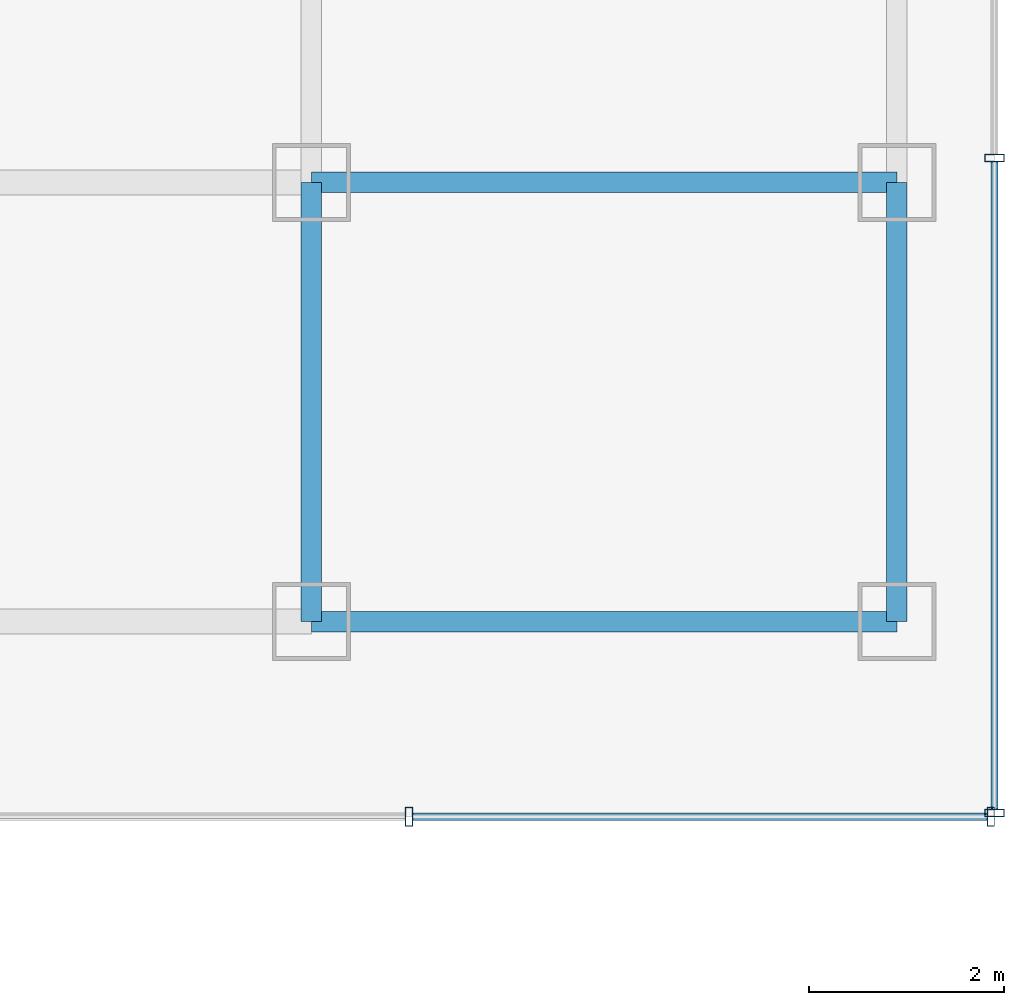
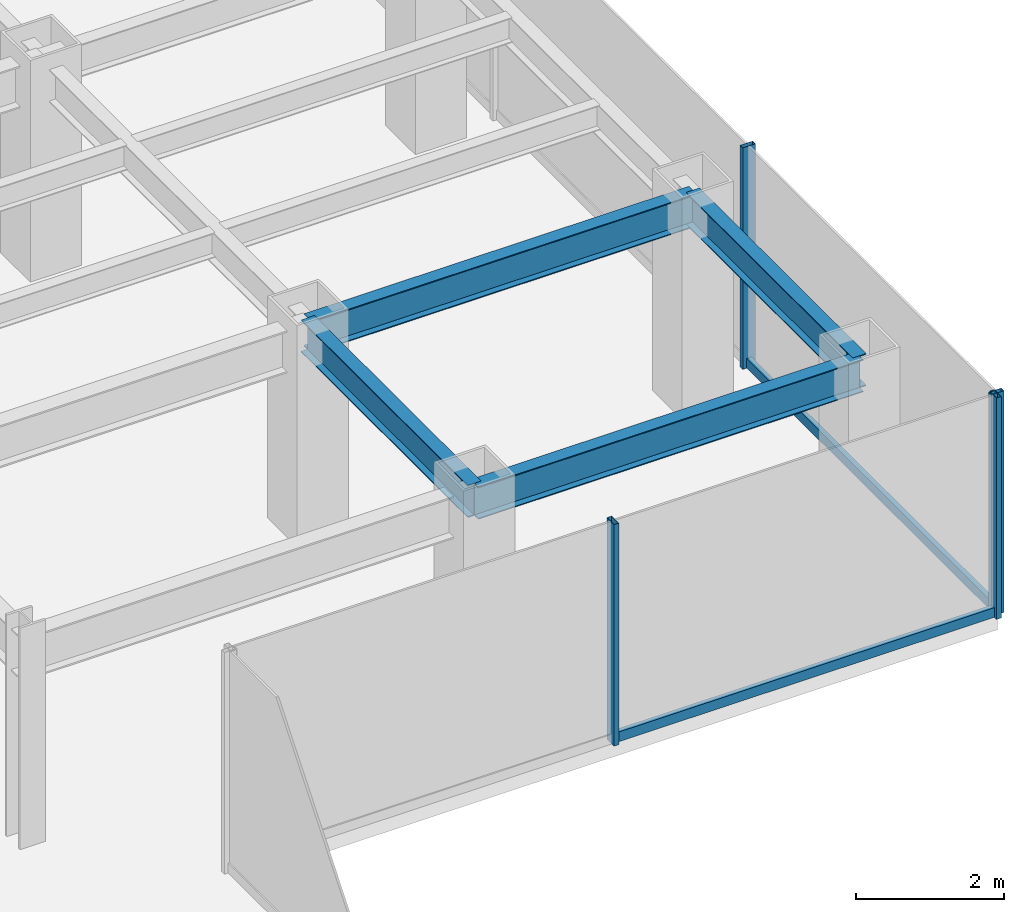
# One storey, part 10 of 26: 6 members, 4 beams, 2 elements without a shape of their own.
"""IFC4 building model written with IfcOpenShell, lengths in metres."""

from ifc_helpers import new_model, si_unit, derived_unit, direction, frame, origin, origin_2d, place, context, subcontext, project, spatial, hollow_rectangle, i_section, extrude, source, transform, mapped, material, material_profile, profile_set, type_object, element, aggregate, save


model = new_model("IFC4")

# Units and contexts
model_context = context("Model", 3, precision=1e-05, world=origin(), true_north=direction((0.0, 1.0)))
body_context = subcontext(model_context, "Body", "Model", "MODEL_VIEW")
ifc_project = project(units=[si_unit("LENGTHUNIT", "METRE"), si_unit("AREAUNIT", "SQUARE_METRE"), si_unit("VOLUMEUNIT", "CUBIC_METRE"), si_unit("PLANEANGLEUNIT", "RADIAN"), si_unit("MASSUNIT", "GRAM", prefix="KILO"), derived_unit("THERMALTRANSMITTANCEUNIT", [(si_unit("POWERUNIT", "WATT"), 1), (si_unit("LENGTHUNIT", "METRE"), -2), (si_unit("THERMODYNAMICTEMPERATUREUNIT", "KELVIN"), -1)])], contexts=[model_context])

# Site, building, storey
site_placement = place(None, origin())
site = spatial("IfcSite", under=ifc_project, at=site_placement, CompositionType="ELEMENT")
building_placement = place(site_placement, origin())
building = spatial("IfcBuilding", under=site, at=building_placement, Name="Skarnbrae Concourse Arena and Tower", CompositionType="ELEMENT")
storey_placement = place(building_placement, frame((0.0, 0.0, 125.14990234375)))
storey = spatial("IfcBuildingStorey", under=building, at=storey_placement, Name="L31", CompositionType="ELEMENT", Elevation=125.14990234375)

# Beams
ifc_material_1 = material(Name="Steel CSA G40.21 350W", Category="steel")
ifc_material_profile_1 = material_profile(ifc_material_1, i_section(OverallWidth=0.208984375, OverallDepth=0.532958984375, WebThickness=0.01025390625, FlangeThickness=0.015625, at=origin_2d()), Name="W530X92")
ifc_profile_set_1 = profile_set([ifc_material_profile_1], Name="Steel CSA G40.21 350W")
beam_type = type_object("IfcBeamType", Name="BM-SPAN-W530X92", PredefinedType="SPANDREL", material=ifc_profile_set_1)
shared_shape_1 = source(origin(), body_context, "Body", "SweptSolid", [
    extrude(i_section(OverallWidth=0.208984375, OverallDepth=0.532958984375, WebThickness=0.01025390625, FlangeThickness=0.015625, at=origin_2d()), origin(), (0.0, 0.0, 1.0), 6.0),
])
for number, where, z_axis, x_axis, name in (
    (1, (49.0, 9.5, 3.133544921875), (1.0, 0.0, 0.0), (0.0, 1.0, 0.0), "L31 Perimeter spandrel Y9.5-3"),
    (2, (49.0, 14.0, 3.133544921875), (1.0, 0.0, 0.0), (0.0, 1.0, 0.0), "L31 Perimeter spandrel Y14.0-8"),
):
    element("IfcBeam", number, at=place(storey_placement, frame(where, z_axis=z_axis, x_axis=x_axis)), inside=storey, type_object=beam_type, Name=name, PredefinedType="SPANDREL", context=body_context, shape_type="MappedRepresentation", body=[
        mapped(shared_shape_1, transform((0.0, 0.0, 0.0))),
    ])
shared_shape_2 = source(origin(), body_context, "Body", "SweptSolid", [
    extrude(i_section(OverallWidth=0.208984375, OverallDepth=0.532958984375, WebThickness=0.01025390625, FlangeThickness=0.015625, at=origin_2d()), origin(), (0.0, 0.0, 1.0), 4.5),
])
for number, where, z_axis, x_axis, name in (
    (3, (49.0, 9.5, 3.133544921875), (0.0, 1.0, 0.0), (-1.0, 0.0, 0.0), "L31 Perimeter spandrel X49.0-1"),
    (4, (55.0, 9.5, 3.133544921875), (0.0, 1.0, 0.0), (-1.0, 0.0, 0.0), "L31 Perimeter spandrel X55.0-1"),
):
    element("IfcBeam", number, at=place(storey_placement, frame(where, z_axis=z_axis, x_axis=x_axis)), inside=storey, type_object=beam_type, Name=name, PredefinedType="SPANDREL", context=body_context, shape_type="MappedRepresentation", body=[
        mapped(shared_shape_2, transform((0.0, 0.0, 0.0))),
    ])

# Curtain wall, members
ifc_material_2 = material(Name="Bronze anodised aluminium 6063-T6", Category="aluminium")
curtain_wall_type = type_object("IfcCurtainWallType", Name="CW-SYS-04-MIDZONE", PredefinedType="USERDEFINED", material=ifc_material_2)
curtain_wall_1_placement = place(storey_placement, origin())
curtain_wall_1 = element("IfcCurtainWall", 5, at=curtain_wall_1_placement, inside=storey, type_object=curtain_wall_type, Name="L31 Unitised curtain wall CW-L31-E03", ObjectType="UNITISED CURTAIN WALL", PredefinedType="USERDEFINED")
ifc_material_profile_2 = material_profile(ifc_material_2, hollow_rectangle(XDim=0.074951171875, YDim=0.195068359375, WallThickness=0.00439453125, at=origin_2d()), Name="ALU-MULL-75X195")
ifc_profile_set_2 = profile_set([ifc_material_profile_2], Name="Bronze anodised aluminium 6063-T6")
member_type_1 = type_object("IfcMemberType", Name="CWM-CW-04", PredefinedType="MULLION", material=ifc_profile_set_2)
shared_shape_3 = source(origin(), body_context, "Body", "SweptSolid", [
    extrude(hollow_rectangle(XDim=0.074951171875, YDim=0.195068359375, WallThickness=0.00439453125, at=origin_2d()), origin(), (0.0, 0.0, 1.0), 3.650146484375),
])
member_1_placement = place(storey_placement, frame((50.0, 7.5, 0.0), z_axis=(0.0, 0.0, 1.0), x_axis=(1.0, 0.0, 0.0)))
member_1 = element("IfcMember", 6, at=member_1_placement, type_object=member_type_1, Name="CW-L31-E03 Mullion 2", PredefinedType="MULLION", context=body_context, shape_type="MappedRepresentation", body=[
    mapped(shared_shape_3, transform((0.0, 0.0, 0.0))),
])
member_2_placement = place(storey_placement, frame((55.96240234375, 7.5, 0.0), z_axis=(0.0, 0.0, 1.0), x_axis=(1.0, 0.0, 0.0)))
member_2 = element("IfcMember", 7, at=member_2_placement, type_object=member_type_1, Name="CW-L31-E03 Mullion 3", PredefinedType="MULLION", context=body_context, shape_type="MappedRepresentation", body=[
    mapped(shared_shape_3, transform((0.0, 0.0, 0.0))),
])

curtain_wall_2_placement = place(storey_placement, origin())
curtain_wall_2 = element("IfcCurtainWall", 8, at=curtain_wall_2_placement, inside=storey, type_object=curtain_wall_type, Name="L31 Unitised curtain wall CW-L31-E04", ObjectType="UNITISED CURTAIN WALL", PredefinedType="USERDEFINED")
member_3_placement = place(storey_placement, frame((56.0, 7.53759765625, 0.0), z_axis=(0.0, 0.0, 1.0), x_axis=(0.0, 1.0, 0.0)))
member_3 = element("IfcMember", 9, at=member_3_placement, type_object=member_type_1, Name="CW-L31-E04 Mullion 1", PredefinedType="MULLION", context=body_context, shape_type="MappedRepresentation", body=[
    mapped(shared_shape_3, transform((0.0, 0.0, 0.0))),
])
member_4_placement = place(storey_placement, frame((56.0, 14.25, 0.0), z_axis=(0.0, 0.0, 1.0), x_axis=(0.0, 1.0, 0.0)))
member_4 = element("IfcMember", 10, at=member_4_placement, type_object=member_type_1, Name="CW-L31-E04 Mullion 2", PredefinedType="MULLION", context=body_context, shape_type="MappedRepresentation", body=[
    mapped(shared_shape_3, transform((0.0, 0.0, 0.0))),
])

# Member
ifc_material_profile_3 = material_profile(ifc_material_2, hollow_rectangle(XDim=0.074951171875, YDim=0.159912109375, WallThickness=0.00439453125, at=origin_2d()), Name="ALU-TRAN-75X160")
ifc_profile_set_3 = profile_set([ifc_material_profile_3], Name="Bronze anodised aluminium 6063-T6")
member_type_2 = type_object("IfcMemberType", Name="CWT-CW-04", PredefinedType="USERDEFINED", material=ifc_profile_set_3)
shared_shape_4 = source(origin(), body_context, "Body", "SweptSolid", [
    extrude(hollow_rectangle(XDim=0.074951171875, YDim=0.159912109375, WallThickness=0.00439453125, at=origin_2d()), origin(), (0.0, 0.0, 1.0), 5.887451171875),
])
member_5_placement = place(storey_placement, frame((50.03759765625, 7.5, 0.080078125), z_axis=(1.0, 0.0, 0.0), x_axis=(0.0, 1.0, 0.0)))
member_5 = element("IfcMember", 11, at=member_5_placement, type_object=member_type_2, Name="CW-L31-E03 Transom 2", ObjectType="TRANSOM", PredefinedType="USERDEFINED", context=body_context, shape_type="MappedRepresentation", body=[
    mapped(shared_shape_4, transform((0.0, 0.0, 0.0))),
])

aggregate(curtain_wall_1, [member_1, member_2, member_5])

shared_shape_5 = source(origin(), body_context, "Body", "SweptSolid", [
    extrude(hollow_rectangle(XDim=0.074951171875, YDim=0.159912109375, WallThickness=0.00439453125, at=origin_2d()), origin(), (0.0, 0.0, 1.0), 6.637451171875),
])
member_6_placement = place(storey_placement, frame((56.0, 7.574951171875, 0.080078125), z_axis=(0.0, 1.0, 0.0), x_axis=(-1.0, 0.0, 0.0)))
member_6 = element("IfcMember", 12, at=member_6_placement, type_object=member_type_2, Name="CW-L31-E04 Transom 1", ObjectType="TRANSOM", PredefinedType="USERDEFINED", context=body_context, shape_type="MappedRepresentation", body=[
    mapped(shared_shape_5, transform((0.0, 0.0, 0.0))),
])

aggregate(curtain_wall_2, [member_3, member_4, member_6])

save(model, "model.ifc")
